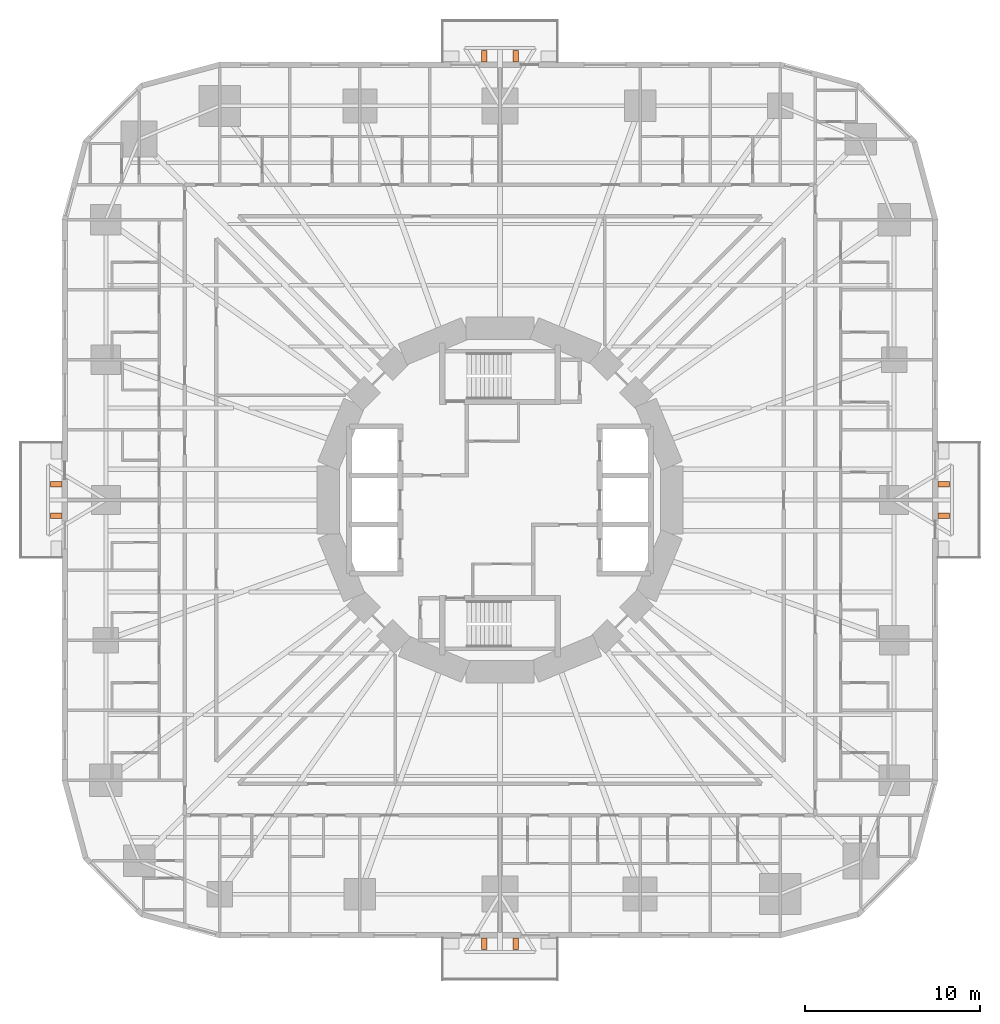
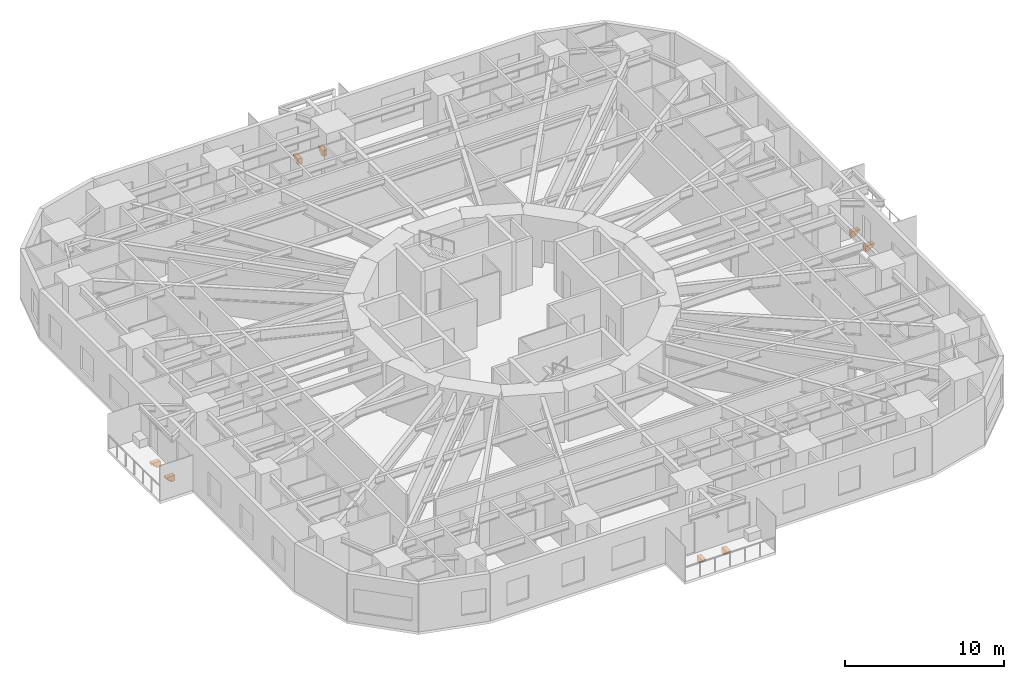
# One storey, part 14 of 14: 8 proxies.
"""IFC4 building model written with IfcOpenShell, lengths in metres."""

from ifc_helpers import new_model, si_unit, direction, frame, origin, place, context, subcontext, project, spatial, polyline, outline, extrude, material, type_object, element, save


model = new_model("IFC4")

# Units and contexts
model_context = context("Model", 3, precision=1e-05, world=origin(), true_north=direction((0.0, 1.0)))
body_context = subcontext(model_context, "Body", "Model", "MODEL_VIEW")
ifc_project = project(units=[si_unit("LENGTHUNIT", "METRE"), si_unit("AREAUNIT", "SQUARE_METRE"), si_unit("VOLUMEUNIT", "CUBIC_METRE"), si_unit("PLANEANGLEUNIT", "RADIAN"), si_unit("MASSUNIT", "GRAM", prefix="KILO")], contexts=[model_context])

# Site, building, storey
site_placement = place(None, origin())
site = spatial("IfcSite", under=ifc_project, at=site_placement, CompositionType="ELEMENT")
building_placement = place(site_placement, origin())
building = spatial("IfcBuilding", under=site, at=building_placement, Name="Nakasero Lantern House", CompositionType="ELEMENT")
storey_placement = place(building_placement, frame((0.0, 0.0, 23.699951171875)))
storey = spatial("IfcBuildingStorey", under=building, at=storey_placement, Name="L05", CompositionType="ELEMENT", Elevation=23.699951171875)

# Proxies
ifc_material = material(Name="Concrete C40/50 precast", Category="concrete")
building_element_proxy_type = type_object("IfcBuildingElementProxyType", Name="Balcony bracket 300", PredefinedType="USERDEFINED", material=ifc_material)
for number, where, z_axis, x_axis, name in (
    (1, (25.0, -0.89990234375, -0.199951171875), (0.0, 0.0, 1.0), (1.0, 0.0, 0.0), "Balcony bracket L05 0A"),
    (2, (25.0, 0.89990234375, -0.199951171875), (0.0, 0.0, 1.0), (1.0, 0.0, 0.0), "Balcony bracket L05 0B"),
    (3, (0.89990234375, 25.0, -0.199951171875), (0.0, 0.0, 1.0), (0.0, 1.0, 0.0), "Balcony bracket L05 1A"),
    (4, (-0.89990234375, 25.0, -0.199951171875), (0.0, 0.0, 1.0), (0.0, 1.0, 0.0), "Balcony bracket L05 1B"),
    (5, (-25.0, 0.89990234375, -0.199951171875), (0.0, 0.0, 1.0), (-1.0, 0.0, 0.0), "Balcony bracket L05 2A"),
    (6, (-25.0, -0.89990234375, -0.199951171875), (0.0, 0.0, 1.0), (-1.0, 0.0, 0.0), "Balcony bracket L05 2B"),
    (7, (-0.89990234375, -25.0, -0.199951171875), (0.0, 0.0, 1.0), (0.0, -1.0, 0.0), "Balcony bracket L05 3A"),
    (8, (0.89990234375, -25.0, -0.199951171875), (0.0, 0.0, 1.0), (0.0, -1.0, 0.0), "Balcony bracket L05 3B"),
):
    element("IfcBuildingElementProxy", number, at=place(storey_placement, frame(where, z_axis=z_axis, x_axis=x_axis)), inside=storey, type_object=building_element_proxy_type, Name=name, ObjectType="BALCONY BRACKET", PredefinedType="USERDEFINED", context=body_context, shape_type="SweptSolid", body=[
        extrude(outline(polyline([(0.0, 0.0), (0.64990234375, 0.0), (0.64990234375, -0.1201171875), (0.5, -0.1201171875), (0.5, -0.280029296875), (0.300048828125, -0.280029296875), (0.300048828125, -0.43994140625), (0.0, -0.43994140625), (0.0, 0.0)])), frame((0.0, 0.14990234375, 0.0), z_axis=(0.0, -1.0, 0.0), x_axis=(1.0, 0.0, 0.0)), (0.0, 0.0, 1.0), 0.300048828125),
    ])

save(model, "model.ifc")
